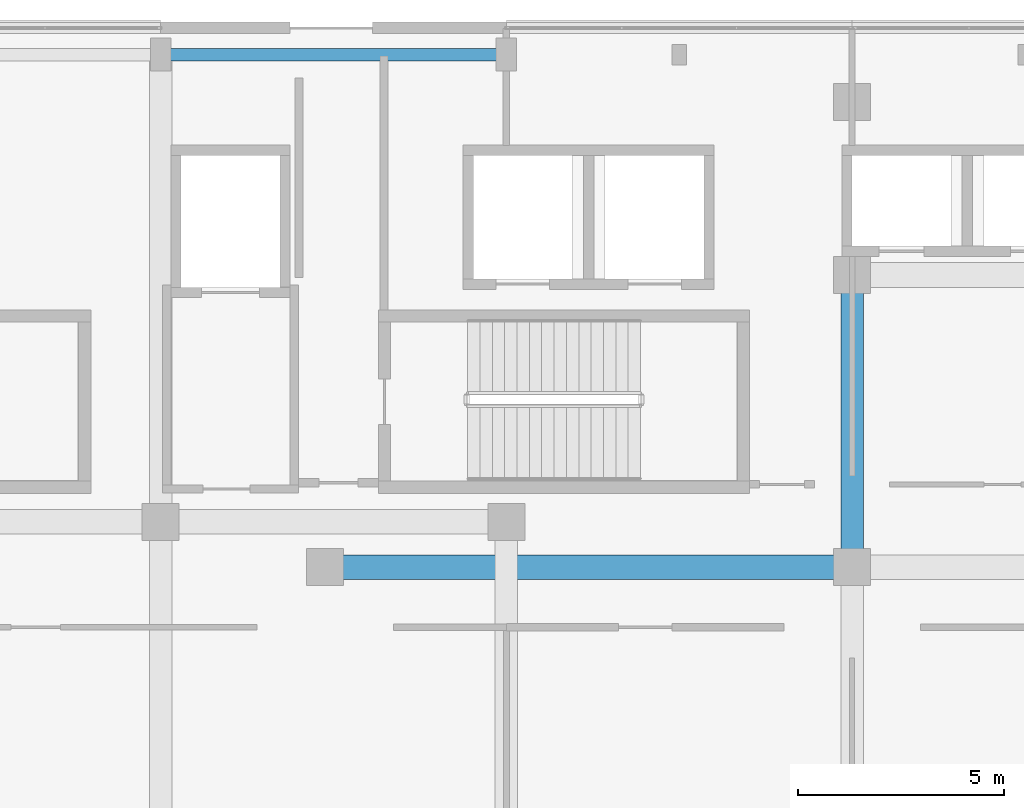
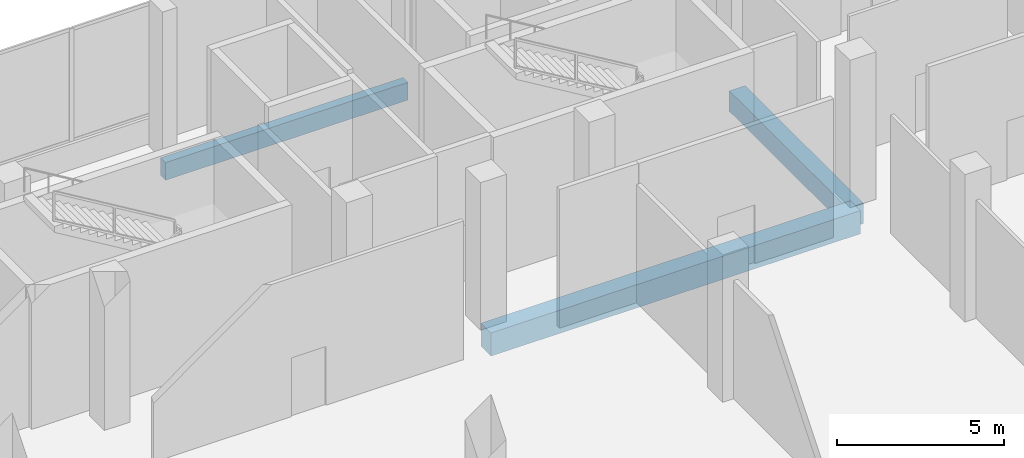
# One storey, part 91 of 158: 3 beams.
"""IFC4 building model written with IfcOpenShell, lengths in metres."""

import ifcopenshell
import ifcopenshell.guid

model = None  # the IFC model being written
_history = None  # IfcOwnerHistory: only IFC2X3 demands one
_inside = {}  # id of a spatial element -> (the spatial element, [elements in it])
_under = {}  # id of a project, library or spatial element -> (it, [spatial elements below it])
_declared = {}  # id of a project -> (the project, [libraries it declares])
_typed = {}  # id of a type object -> (the type object, [elements of that type])
_made_of = {}  # id of a material, layer set ... -> (it, [elements and type objects made of it])


def new_model(schema):
    """Start an empty IFC model of exactly this schema.

    Asked for "IFC4X3", IfcOpenShell would pick the latest addendum, in which some entities
    have other attributes; the version numbers below select the first issue.
    IFC2X3 requires an IfcOwnerHistory on every rooted entity: one is made here for all.
    """
    global model, _history
    if schema == "IFC4X3":
        model = ifcopenshell.file(schema_version=(4, 3, 0, 0))
    else:
        model = ifcopenshell.file(schema=schema)
    _inside.clear()
    _under.clear()
    _declared.clear()
    _typed.clear()
    _made_of.clear()
    _history = None
    if model.schema == "IFC2X3":
        org = make("IfcOrganization", Name="unknown")
        user = make(
            "IfcPersonAndOrganization",
            ThePerson=make("IfcPerson", FamilyName="unknown"),
            TheOrganization=org,
        )
        app = make(
            "IfcApplication",
            ApplicationDeveloper=org,
            Version="unknown",
            ApplicationFullName="unknown",
            ApplicationIdentifier="unknown",
        )
        _history = make(
            "IfcOwnerHistory",
            OwningUser=user,
            OwningApplication=app,
            ChangeAction="ADDED",
            CreationDate=0,
        )
    return model


def make(cls, **values):
    """One entity of the class cls with the attributes given. An attribute that is None is left unset."""
    return model.create_entity(
        cls, **{name: value for name, value in values.items() if value is not None}
    )


def rooted(cls, **values):
    """An entity with a GlobalId (a new one), such as an element, a storey or a relation."""
    return make(cls, GlobalId=ifcopenshell.guid.new(), OwnerHistory=_history, **values)


def si_unit(unit_type, name, prefix=None):
    """IfcSIUnit, for example si_unit("LENGTHUNIT", "METRE", prefix="MILLI")."""
    return make("IfcSIUnit", UnitType=unit_type, Prefix=prefix, Name=name)


def assignment(units):
    """IfcUnitAssignment: the units of a project."""
    return None if units is None else make("IfcUnitAssignment", Units=units)


def point(xyz):
    """IfcCartesianPoint."""
    return None if xyz is None else make("IfcCartesianPoint", Coordinates=xyz)


def direction(xyz):
    """IfcDirection."""
    return None if xyz is None else make("IfcDirection", DirectionRatios=xyz)


def frame(location, z_axis=None, x_axis=None):
    """IfcAxis2Placement3D, a coordinate frame: its origin and axes. An axis left out is left unset."""
    return make(
        "IfcAxis2Placement3D",
        Location=point(location),
        Axis=direction(z_axis),
        RefDirection=direction(x_axis),
    )


def frame_2d(location, x_axis=None):
    """IfcAxis2Placement2D, a coordinate frame in the plane: its origin and x axis."""
    return make(
        "IfcAxis2Placement2D", Location=point(location), RefDirection=direction(x_axis)
    )


def origin():
    """The frame at (0, 0, 0) with its axes left unset."""
    return frame((0.0, 0.0, 0.0))


def origin_2d():
    """The frame at (0, 0) in the plane with its x axis left unset."""
    return frame_2d((0.0, 0.0))


def place(relative_to, where):
    """IfcLocalPlacement: puts the frame where relative to a parent placement (None: the world)."""
    return make(
        "IfcLocalPlacement", PlacementRelTo=relative_to, RelativePlacement=where
    )


def context(
    kind, dimensions, precision=None, world=None, true_north=None, identifier=None
):
    """IfcGeometricRepresentationContext, for example the 3D "Model" context."""
    return make(
        "IfcGeometricRepresentationContext",
        ContextIdentifier=identifier,
        ContextType=kind,
        CoordinateSpaceDimension=dimensions,
        Precision=precision,
        WorldCoordinateSystem=world,
        TrueNorth=true_north,
    )


def subcontext(parent, identifier, kind, view, scale=None):
    """IfcGeometricRepresentationSubContext, for example "Body" below "Model"."""
    return make(
        "IfcGeometricRepresentationSubContext",
        ContextIdentifier=identifier,
        ContextType=kind,
        ParentContext=parent,
        TargetScale=scale,
        TargetView=view,
    )


def project(units=None, contexts=None):
    """IfcProject with its units and contexts."""
    return rooted(
        "IfcProject",
        Name="project",
        RepresentationContexts=contexts,
        UnitsInContext=assignment(units),
    )


def spatial(cls, under=None, at=None, **own):
    """A site, building, storey or space (cls), placed at a placement, below another one or the project."""
    s = rooted(cls, ObjectPlacement=at, **own)
    if under is not None:
        _under.setdefault(under.id(), (under, []))[1].append(s)
    return s


def profile(cls, at=None, kind="AREA", **sizes):
    """A parametric profile (cls). Its sizes go by their IFC names, for example OverallWidth=200.0."""
    return make(cls, ProfileType=kind, Position=at, **sizes)


def rectangle(**sizes):
    """IfcRectangleProfileDef."""
    return profile("IfcRectangleProfileDef", **sizes)


def extrude(swept, where, along, depth):
    """IfcExtrudedAreaSolid: the profile swept, set in the frame where, extruded along a direction by depth."""
    return make(
        "IfcExtrudedAreaSolid",
        SweptArea=swept,
        Position=where,
        ExtrudedDirection=direction(along),
        Depth=depth,
    )


def shape(context_of_items, identifier, shape_type, items):
    """IfcShapeRepresentation: the items that make up one representation, for example the "Body"."""
    return make(
        "IfcShapeRepresentation",
        ContextOfItems=context_of_items,
        RepresentationIdentifier=identifier,
        RepresentationType=shape_type,
        Items=items,
    )


def material(Name=None, Category=None):
    """IfcMaterial."""
    return make("IfcMaterial", Name=Name, Category=Category)


def material_profile(
    of_material, cross_section, Name=None, Category=None, Priority=None
):
    """IfcMaterialProfile: a cross section and its material."""
    return make(
        "IfcMaterialProfile",
        Name=Name,
        Material=of_material,
        Profile=cross_section,
        Priority=Priority,
        Category=Category,
    )


def profile_set(profiles, Name=None, composite=None):
    """IfcMaterialProfileSet."""
    return make(
        "IfcMaterialProfileSet",
        Name=Name,
        MaterialProfiles=profiles,
        CompositeProfile=composite,
    )


def made_of(thing, what):
    """Note that an element or type object is made of a material, layer set ...; save() writes the relation."""
    if what is not None:
        _made_of.setdefault(what.id(), (what, []))[1].append(thing)
    return thing


def type_object(cls, material=None, **own):
    """A type object (cls), such as IfcWallType, which elements share."""
    return made_of(rooted(cls, **own), material)


def element(
    cls,
    number,
    at=None,
    inside=None,
    cuts=None,
    type_object=None,
    material=None,
    context=None,
    identifier="Body",
    shape_type=None,
    held_by="IfcProductDefinitionShape",
    body=None,
    shapes=None,
    **own,
):
    """One element of the class cls, such as IfcWall. Its Tag is "e" and its number.

    at: its placement. inside: the storey or other place that contains it. cuts: it is an
    opening in that element (IfcRelVoidsElement). A single representation is given by context,
    identifier, shape_type and body (its items); several are given by shapes. held_by: the class
    of the entity that holds the representations. save() writes the other relations.
    """
    e = rooted(cls, Tag="e%d" % number, ObjectPlacement=at, **own)
    if body is not None:
        shapes = [shape(context, identifier, shape_type, body)]
    if shapes is not None:
        e.Representation = make(held_by, Representations=shapes)
    if inside is not None:
        _inside.setdefault(inside.id(), (inside, []))[1].append(e)
    if cuts is not None:
        rooted(
            "IfcRelVoidsElement", RelatingBuildingElement=cuts, RelatedOpeningElement=e
        )
    if type_object is not None:
        _typed.setdefault(type_object.id(), (type_object, []))[1].append(e)
    return made_of(e, material)


def aggregate(whole, parts):
    """IfcRelAggregates: a whole, such as a stair, and the parts it consists of."""
    return rooted("IfcRelAggregates", RelatingObject=whole, RelatedObjects=parts)


def save(model, path):
    """Write the relations noted so far, then the file.

    IfcRelAggregates (storeys below a building ...), IfcRelContainedInSpatialStructure (elements
    in a storey), IfcRelDefinesByType, IfcRelAssociatesMaterial and IfcRelDeclares: one each for
    every whole, place, type object, material and project.
    """
    for whole, parts in _under.values():
        aggregate(whole, parts)
    for where, things in _inside.values():
        rooted(
            "IfcRelContainedInSpatialStructure",
            RelatedElements=things,
            RelatingStructure=where,
        )
    for kind, things in _typed.values():
        rooted("IfcRelDefinesByType", RelatedObjects=things, RelatingType=kind)
    for what, things in _made_of.values():
        rooted("IfcRelAssociatesMaterial", RelatedObjects=things, RelatingMaterial=what)
    for by, libraries in _declared.values():
        rooted("IfcRelDeclares", RelatingContext=by, RelatedDefinitions=libraries)
    model.write(path)


model = new_model("IFC4")

# Units and contexts
model_context = context("Model", 3, precision=1e-05, world=origin(), true_north=direction((0.0, 1.0)))
body_context = subcontext(model_context, "Body", "Model", "MODEL_VIEW")
ifc_project = project(units=[si_unit("LENGTHUNIT", "METRE"), si_unit("AREAUNIT", "SQUARE_METRE"), si_unit("VOLUMEUNIT", "CUBIC_METRE"), si_unit("PLANEANGLEUNIT", "RADIAN"), si_unit("MASSUNIT", "GRAM", prefix="KILO")], contexts=[model_context])

# Site, building, storey
site_placement = place(None, origin())
site = spatial("IfcSite", under=ifc_project, at=site_placement, CompositionType="ELEMENT")
building_placement = place(site_placement, origin())
building = spatial("IfcBuilding", under=site, at=building_placement, Name="Selatvlak General Hospital", CompositionType="ELEMENT")
storey_placement = place(building_placement, origin())
storey = spatial("IfcBuildingStorey", under=building, at=storey_placement, Name="L00", CompositionType="ELEMENT", Elevation=0.0)

# Beams
ifc_material = material(Name="Concrete C40/50", Category="concrete")
ifc_material_profile_1 = material_profile(ifc_material, rectangle(XDim=0.60009765625, YDim=0.85009765625, at=origin_2d()), Name="RC-BM 600x850")
ifc_profile_set_1 = profile_set([ifc_material_profile_1], Name="Concrete C40/50")
beam_type_1 = type_object("IfcBeamType", Name="BM-G01", PredefinedType="BEAM", material=ifc_profile_set_1)
beam_1_placement = place(storey_placement, frame((102.39990234375, 106.89990234375, -0.77490234375), z_axis=(1.0, 0.0, 0.0), x_axis=(0.0, 1.0, 0.0)))
element("IfcBeam", 1, at=beam_1_placement, inside=storey, type_object=beam_type_1, Name="Beam BMR-L00-0116", PredefinedType="BEAM", context=body_context, shape_type="SweptSolid", body=[
    extrude(rectangle(XDim=0.60009765625, YDim=0.85009765625, at=origin_2d()), origin(), (0.0, 0.0, 1.0), 12.800048828125),
])
ifc_material_profile_2 = material_profile(ifc_material, rectangle(XDim=0.550048828125, YDim=0.75, at=origin_2d()), Name="RC-BM 550x750")
ifc_profile_set_2 = profile_set([ifc_material_profile_2], Name="Concrete C40/50")
beam_type_2 = type_object("IfcBeamType", Name="BM-G02", PredefinedType="BEAM", material=ifc_profile_set_2)
beam_2_placement = place(storey_placement, frame((115.199951171875, 106.89990234375, -0.72509765625), z_axis=(0.0, 1.0, 0.0), x_axis=(-1.0, 0.0, 0.0)))
element("IfcBeam", 2, at=beam_2_placement, inside=storey, type_object=beam_type_2, Name="Beam BMR-L00-0240", PredefinedType="BEAM", context=body_context, shape_type="SweptSolid", body=[
    extrude(rectangle(XDim=0.550048828125, YDim=0.75, at=origin_2d()), origin(), (0.0, 0.0, 1.0), 7.10009765625),
])
ifc_material_profile_3 = material_profile(ifc_material, rectangle(XDim=0.300048828125, YDim=0.64990234375, at=origin_2d()), Name="RC-SP 300x650")
ifc_profile_set_3 = profile_set([ifc_material_profile_3], Name="Concrete C40/50")
beam_type_3 = type_object("IfcBeamType", Name="BM-SP1", PredefinedType="SPANDREL", material=ifc_profile_set_3)
beam_3_placement = place(storey_placement, frame((98.39990234375, 119.35009765625, -0.675048828125), z_axis=(1.0, 0.0, 0.0), x_axis=(0.0, 1.0, 0.0)))
element("IfcBeam", 3, at=beam_3_placement, inside=storey, type_object=beam_type_3, Name="Beam BMR-L00-0154", PredefinedType="SPANDREL", context=body_context, shape_type="SweptSolid", body=[
    extrude(rectangle(XDim=0.300048828125, YDim=0.64990234375, at=origin_2d()), origin(), (0.0, 0.0, 1.0), 8.400146484375),
])

save(model, "model.ifc")
